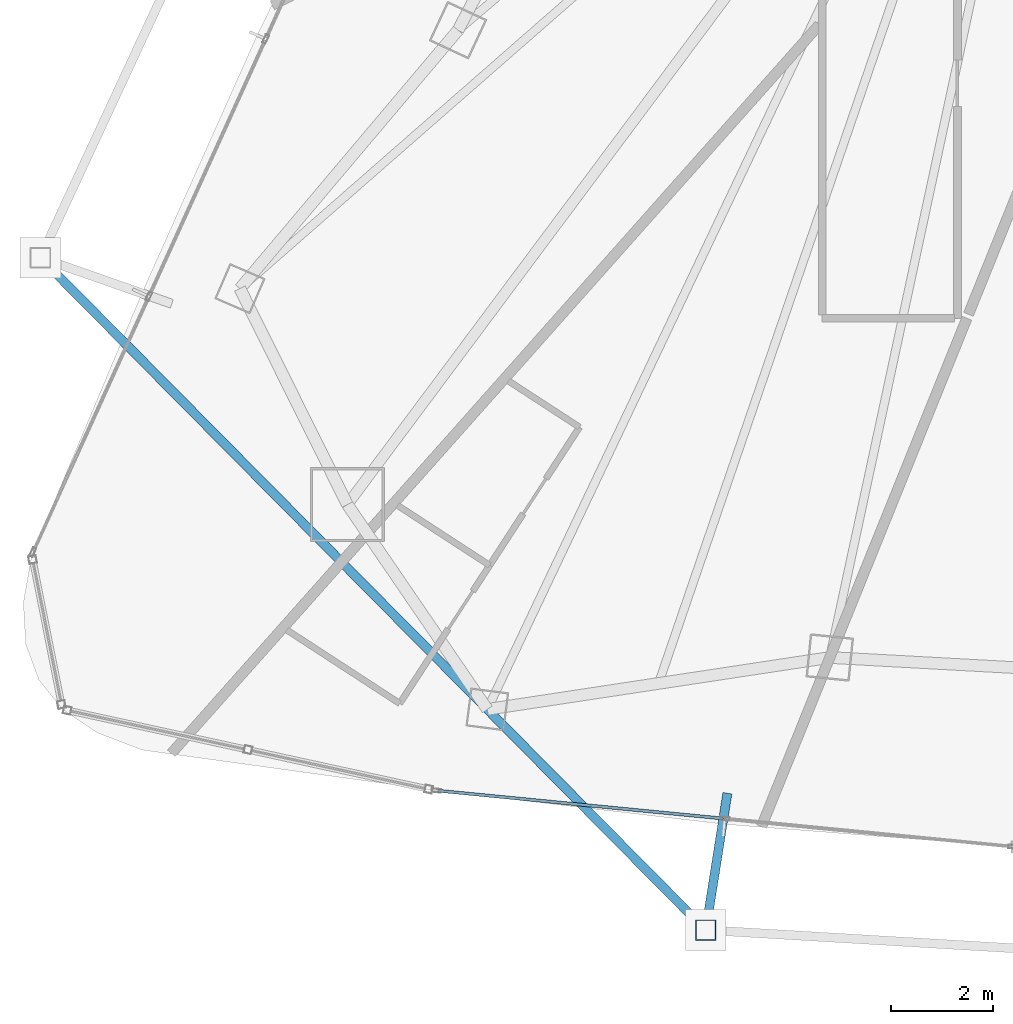
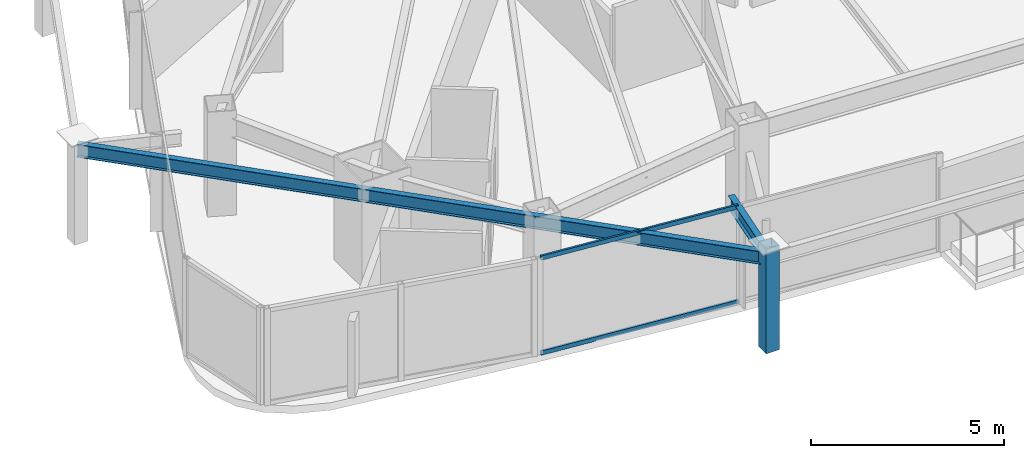
# One storey, part 3 of 31: 3 members, 2 beams, 1 element without a shape of its own.
"""IFC4 building model written with IfcOpenShell, lengths in metres."""

from ifc_helpers import new_model, si_unit, direction, frame, origin, origin_2d, place, context, subcontext, project, spatial, hollow_rectangle, i_section, extrude, material, layer, layer_set, material_profile, profile_set, type_object, element, aggregate, save


model = new_model("IFC4")

# Units and contexts
model_context = context("Model", 3, precision=1e-05, world=origin(), true_north=direction((0.0, 1.0)))
body_context = subcontext(model_context, "Body", "Model", "MODEL_VIEW")
ifc_project = project(units=[si_unit("LENGTHUNIT", "METRE"), si_unit("AREAUNIT", "SQUARE_METRE"), si_unit("VOLUMEUNIT", "CUBIC_METRE"), si_unit("PLANEANGLEUNIT", "RADIAN"), si_unit("MASSUNIT", "GRAM", prefix="KILO")], contexts=[model_context])

# Site, building, storey
site_placement = place(None, origin())
site = spatial("IfcSite", under=ifc_project, at=site_placement, CompositionType="ELEMENT")
building_placement = place(site_placement, origin())
building = spatial("IfcBuilding", under=site, at=building_placement, Name="Orvanel Arch Residences", CompositionType="ELEMENT")
storey_placement = place(building_placement, frame((0.0, 0.0, 157.25)))
storey = spatial("IfcBuildingStorey", under=building, at=storey_placement, Name="L44", CompositionType="ELEMENT", Elevation=157.25)

# Beams
ifc_material_1 = material(Name="Structural steel AS/NZS 3679.1 Grade 300 (300 MPa)", Category="steel")
ifc_material_profile_1 = material_profile(ifc_material_1, i_section(OverallWidth=0.177978515625, OverallDepth=0.406005859375, WebThickness=0.0078125, FlangeThickness=0.0126953125, at=origin_2d()), Name="410UB59.7")
ifc_profile_set_1 = profile_set([ifc_material_profile_1], Name="Structural steel AS/NZS 3679.1 Grade 300 (300 MPa)")
beam_type = type_object("IfcBeamType", Name="OB-410UB-EXT", PredefinedType="SPANDREL", material=ifc_profile_set_1)
beam_1_placement = place(storey_placement, frame((8.18701171875, 15.18505859375, 2.85693359375), z_axis=(0.703400836433, -0.710793404095, 0.0), x_axis=(0.710793404095, 0.703400836433, 0.0)))
element("IfcBeam", 1, at=beam_1_placement, inside=storey, type_object=beam_type, Name="L44 Outer Perimeter Floor Ring Beam 04", PredefinedType="SPANDREL", context=body_context, shape_type="SweptSolid", body=[
    extrude(i_section(OverallWidth=0.177978515625, OverallDepth=0.406005859375, WebThickness=0.0078125, FlangeThickness=0.0126953125, at=origin_2d()), origin(), (0.0, 0.0, 1.0), 18.527099609375),
])
beam_2_placement = place(storey_placement, frame((21.64306640625, 4.696044921875, 2.85693359375), z_axis=(-0.156295247411, -0.987710380444, 0.0), x_axis=(0.987710380444, -0.156295247411, 0.0)))
element("IfcBeam", 2, at=beam_2_placement, inside=storey, type_object=beam_type, Name="L44 Outer Frame Radial Tie Beam 05", PredefinedType="SPANDREL", context=body_context, shape_type="SweptSolid", body=[
    extrude(i_section(OverallWidth=0.177978515625, OverallDepth=0.406005859375, WebThickness=0.0078125, FlangeThickness=0.0126953125, at=origin_2d()), origin(), (0.0, 0.0, 1.0), 2.71337890625),
])

# Member
ifc_material_2 = material(Name="Structural steel AS/NZS 1163 C450L0 (Grade 450)", Category="steel")
ifc_material_profile_2 = material_profile(ifc_material_2, hollow_rectangle(XDim=0.39990234375, YDim=0.39990234375, WallThickness=0.01611328125, at=origin_2d()), Name="SHS400x400x16")
ifc_profile_set_2 = profile_set([ifc_material_profile_2], Name="Structural steel AS/NZS 1163 C450L0 (Grade 450)")
member_type_1 = type_object("IfcMemberType", Name="ST-400SHS-EXT", PredefinedType="STRUT", material=ifc_profile_set_2)
member_1_placement = place(storey_placement, frame((21.218994140625, 2.01611328125, 0.0), z_axis=(0.0, 0.0, 1.0), x_axis=(1.0, 0.0, 0.0)))
element("IfcMember", 3, at=member_1_placement, inside=storey, type_object=member_type_1, Name="L44 Outer Perimeter Frame Post 05", PredefinedType="STRUT", context=body_context, shape_type="SweptSolid", body=[
    extrude(hollow_rectangle(XDim=0.39990234375, YDim=0.39990234375, WallThickness=0.01611328125, at=origin_2d()), origin(), (0.0, 0.0, 1.0), 3.300048828125),
])

# Curtain wall, members
ifc_material_3 = material(Name="Bronze-anodised aluminium AA6063-T6", Category="aluminium")
ifc_layer = layer(ifc_material_3, 0.179931640625)
ifc_layer_set = layer_set([ifc_layer], Name="Bronze-anodised aluminium AA6063-T6")
curtain_wall_type = type_object("IfcCurtainWallType", Name="CW3-MID-SYS", PredefinedType="NOTDEFINED", material=ifc_layer_set)
curtain_wall_placement = place(storey_placement, origin())
curtain_wall = element("IfcCurtainWall", 4, at=curtain_wall_placement, inside=storey, type_object=curtain_wall_type, Name="L44 CW3-MID-SYS Unitised Curtain Wall", PredefinedType="NOTDEFINED")
ifc_material_profile_3 = material_profile(ifc_material_3, hollow_rectangle(XDim=0.06005859375, YDim=0.135009765625, WallThickness=0.00390625, at=origin_2d()), Name="ALU135x60x4")
ifc_profile_set_3 = profile_set([ifc_material_profile_3], Name="Bronze-anodised aluminium AA6063-T6")
member_type_2 = type_object("IfcMemberType", Name="TRN-135x60", PredefinedType="USERDEFINED", material=ifc_profile_set_3)
member_2_placement = place(storey_placement, frame((15.9765625, 4.7451171875, 0.030029296875), z_axis=(0.995278225692, -0.097063141629, 0.0), x_axis=(0.097063141629, 0.995278225692, 0.0)))
member_2 = element("IfcMember", 5, at=member_2_placement, type_object=member_type_2, Name="CW-S3 transom 1.1", ObjectType="TRANSOM", PredefinedType="USERDEFINED", context=body_context, shape_type="SweptSolid", body=[
    extrude(hollow_rectangle(XDim=0.06005859375, YDim=0.135009765625, WallThickness=0.00390625, at=origin_2d()), origin(), (0.0, 0.0, 1.0), 5.6064453125),
])
member_3_placement = place(storey_placement, frame((15.9765625, 4.7451171875, 3.030029296875), z_axis=(0.995278225692, -0.097063141629, 0.0), x_axis=(0.097063141629, 0.995278225692, 0.0)))
member_3 = element("IfcMember", 6, at=member_3_placement, type_object=member_type_2, Name="CW-S3 transom 1.2", ObjectType="TRANSOM", PredefinedType="USERDEFINED", context=body_context, shape_type="SweptSolid", body=[
    extrude(hollow_rectangle(XDim=0.06005859375, YDim=0.135009765625, WallThickness=0.00390625, at=origin_2d()), origin(), (0.0, 0.0, 1.0), 5.6064453125),
])
aggregate(curtain_wall, [member_2, member_3])

save(model, "model.ifc")
